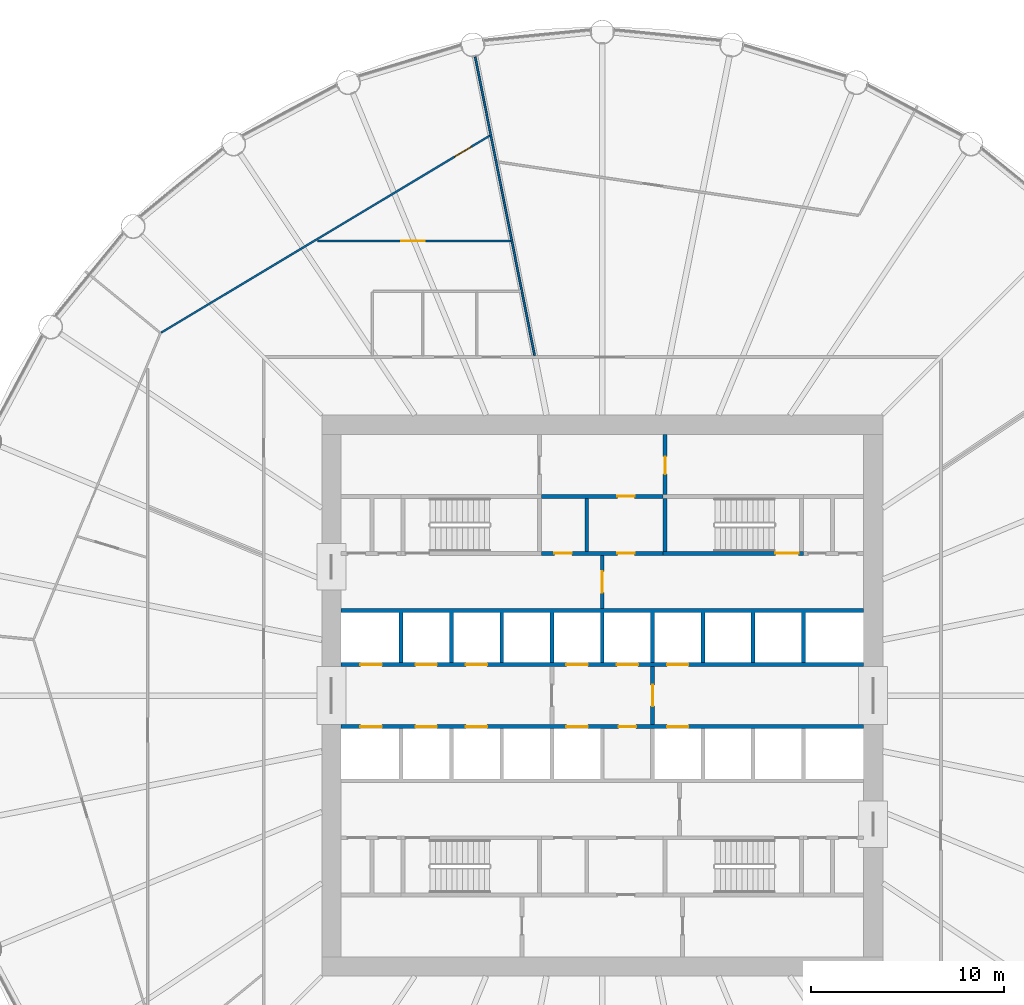
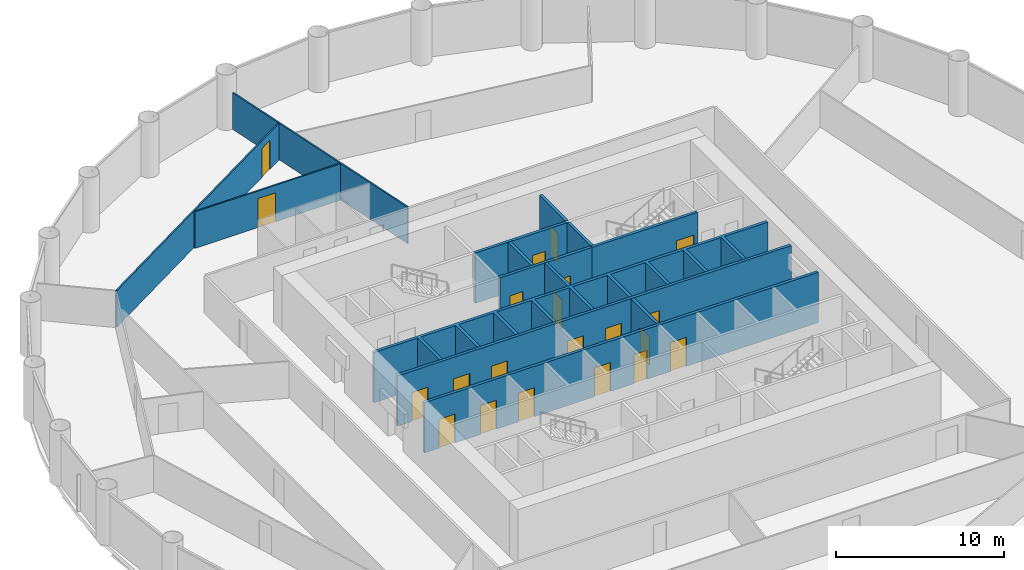
# One storey, part 6 of 8: 21 doors, 14 walls, 21 openings.
"""IFC4 building model written with IfcOpenShell, lengths in metres."""

from ifc_helpers import new_model, si_unit, direction, frame, frame_2d, origin, place, context, subcontext, project, spatial, polyline, rectangle, outline, extrude, material, layer, layer_set, type_object, element, fill, save


model = new_model("IFC4")

# Units and contexts
model_context = context("Model", 3, precision=1e-05, world=origin(), true_north=direction((0.0, 1.0)))
body_context = subcontext(model_context, "Body", "Model", "MODEL_VIEW")
ifc_project = project(units=[si_unit("LENGTHUNIT", "METRE"), si_unit("AREAUNIT", "SQUARE_METRE"), si_unit("VOLUMEUNIT", "CUBIC_METRE"), si_unit("PLANEANGLEUNIT", "RADIAN"), si_unit("MASSUNIT", "GRAM", prefix="KILO")], contexts=[model_context])

# Site, building, storey
site_placement = place(None, origin())
site = spatial("IfcSite", under=ifc_project, at=site_placement, CompositionType="ELEMENT")
building_placement = place(site_placement, origin())
building = spatial("IfcBuilding", under=site, at=building_placement, Name="Corvane Civic Tower", CompositionType="ELEMENT")
storey_placement = place(building_placement, frame((0.0, 0.0, 134.5)))
storey = spatial("IfcBuildingStorey", under=building, at=storey_placement, Name="L31", CompositionType="ELEMENT", Elevation=134.5)

# Wall, openings, doors
ifc_material_1 = material(Name="Concrete C30/37", Category="concrete")
ifc_layer_1 = layer(ifc_material_1, 0.199951171875)
ifc_layer_set_1 = layer_set([ifc_layer_1], Name="Concrete C30/37")
wall_type_1 = type_object("IfcWallType", Name="CR-WALL-200", PredefinedType="PARTITIONING", material=ifc_layer_set_1)
wall_1_placement = place(storey_placement, frame((-13.5, -1.60009765625, 0.0), z_axis=(0.0, 0.0, 1.0), x_axis=(1.0, 0.0, 0.0)))
wall_1 = element("IfcWall", 1, at=wall_1_placement, inside=storey, type_object=wall_type_1, Name="L31 lift shaft wall", PredefinedType="PARTITIONING", context=body_context, shape_type="SweptSolid", body=[
    extrude(rectangle(XDim=27.0, YDim=0.199951171875, at=frame_2d((13.5, 0.0))), origin(), (0.0, 0.0, 1.0), 3.64990234375),
])
opening_1_placement = place(wall_1_placement, frame((1.0, 0.0, 0.0)))
opening_1 = element("IfcOpeningElement", 2, at=opening_1_placement, cuts=wall_1, Name="Opening LD", PredefinedType="OPENING", context=body_context, shape_type="SweptSolid", body=[
    extrude(rectangle(XDim=1.10009765625, YDim=2.10009765625, at=frame_2d((0.550048828125, 1.050048828125))), frame((0.0, 0.10986328125, 0.0), z_axis=(0.0, -1.0, 0.0), x_axis=(1.0, 0.0, 0.0)), (0.0, 0.0, 1.0), 0.219970703125),
])
opening_2_placement = place(wall_1_placement, frame((3.85009765625, 0.0, 0.0)))
opening_2 = element("IfcOpeningElement", 3, at=opening_2_placement, cuts=wall_1, Name="Opening LD", PredefinedType="OPENING", context=body_context, shape_type="SweptSolid", body=[
    extrude(rectangle(XDim=1.10009765625, YDim=2.10009765625, at=frame_2d((0.550048828125, 1.050048828125))), frame((0.0, 0.10986328125, 0.0), z_axis=(0.0, -1.0, 0.0), x_axis=(1.0, 0.0, 0.0)), (0.0, 0.0, 1.0), 0.219970703125),
])
opening_3_placement = place(wall_1_placement, frame((6.449951171875, 0.0, 0.0)))
opening_3 = element("IfcOpeningElement", 4, at=opening_3_placement, cuts=wall_1, Name="Opening LD", PredefinedType="OPENING", context=body_context, shape_type="SweptSolid", body=[
    extrude(rectangle(XDim=1.10009765625, YDim=2.10009765625, at=frame_2d((0.550048828125, 1.050048828125))), frame((0.0, 0.10986328125, 0.0), z_axis=(0.0, -1.0, 0.0), x_axis=(1.0, 0.0, 0.0)), (0.0, 0.0, 1.0), 0.219970703125),
])
opening_4_placement = place(wall_1_placement, frame((11.64990234375, 0.0, 0.0)))
opening_4 = element("IfcOpeningElement", 5, at=opening_4_placement, cuts=wall_1, Name="Opening LD", PredefinedType="OPENING", context=body_context, shape_type="SweptSolid", body=[
    extrude(rectangle(XDim=1.10009765625, YDim=2.10009765625, at=frame_2d((0.550048828125, 1.050048828125))), frame((0.0, 0.10986328125, 0.0), z_axis=(0.0, -1.0, 0.0), x_axis=(1.0, 0.0, 0.0)), (0.0, 0.0, 1.0), 0.219970703125),
])
opening_5_placement = place(wall_1_placement, frame((14.35009765625, 0.0, 0.0)))
opening_5 = element("IfcOpeningElement", 6, at=opening_5_placement, cuts=wall_1, Name="Opening L31.C01", PredefinedType="OPENING", context=body_context, shape_type="SweptSolid", body=[
    extrude(rectangle(XDim=0.89990234375, YDim=2.10009765625, at=frame_2d((0.449951171875, 1.050048828125))), frame((0.0, 0.10986328125, 0.0), z_axis=(0.0, -1.0, 0.0), x_axis=(1.0, 0.0, 0.0)), (0.0, 0.0, 1.0), 0.219970703125),
])
opening_6_placement = place(wall_1_placement, frame((16.85009765625, 0.0, 0.0)))
opening_6 = element("IfcOpeningElement", 7, at=opening_6_placement, cuts=wall_1, Name="Opening LD", PredefinedType="OPENING", context=body_context, shape_type="SweptSolid", body=[
    extrude(rectangle(XDim=1.10009765625, YDim=2.10009765625, at=frame_2d((0.550048828125, 1.050048828125))), frame((0.0, 0.10986328125, 0.0), z_axis=(0.0, -1.0, 0.0), x_axis=(1.0, 0.0, 0.0)), (0.0, 0.0, 1.0), 0.219970703125),
])
ifc_material_2 = material(Name="Steel fire door leaf", Category="steel")
door_type_1 = type_object("IfcDoorType", Name="CR-DOOR-900", OperationType="SINGLE_SWING_LEFT", PredefinedType="DOOR", material=ifc_material_2)
door_1_placement = place(opening_5_placement, origin())
door_1 = element("IfcDoor", 8, at=door_1_placement, inside=storey, type_object=door_type_1, Name="L31 door", OperationType="SINGLE_SWING_LEFT", OverallHeight=2.10009765625, OverallWidth=0.89990234375, PredefinedType="DOOR", context=body_context, shape_type="SweptSolid", body=[
    extrude(rectangle(XDim=0.89990234375, YDim=2.10009765625, at=frame_2d((0.449951171875, 1.050048828125))), frame((0.0, 0.02490234375, 0.0), z_axis=(0.0, -1.0, 0.0), x_axis=(1.0, 0.0, 0.0)), (0.0, 0.0, 1.0), 0.050048828125),
])
fill(opening_5, door_1)
ifc_material_3 = material(Name="Stainless steel 316 door leaves", Category="steel")
door_type_2 = type_object("IfcDoorType", Name="LD", OperationType="DOUBLE_DOOR_SLIDING", PredefinedType="DOOR", material=ifc_material_3)
door_2_placement = place(opening_1_placement, origin())
door_2 = element("IfcDoor", 9, at=door_2_placement, inside=storey, type_object=door_type_2, Name="L31 landing door", OperationType="DOUBLE_DOOR_SLIDING", OverallHeight=2.10009765625, OverallWidth=1.10009765625, PredefinedType="DOOR", context=body_context, shape_type="SweptSolid", body=[
    extrude(rectangle(XDim=1.10009765625, YDim=2.10009765625, at=frame_2d((0.550048828125, 1.050048828125))), frame((0.0, 0.02490234375, 0.0), z_axis=(0.0, -1.0, 0.0), x_axis=(1.0, 0.0, 0.0)), (0.0, 0.0, 1.0), 0.050048828125),
])
fill(opening_1, door_2)
door_3_placement = place(opening_2_placement, origin())
door_3 = element("IfcDoor", 10, at=door_3_placement, inside=storey, type_object=door_type_2, Name="L31 landing door", OperationType="DOUBLE_DOOR_SLIDING", OverallHeight=2.10009765625, OverallWidth=1.10009765625, PredefinedType="DOOR", context=body_context, shape_type="SweptSolid", body=[
    extrude(rectangle(XDim=1.10009765625, YDim=2.10009765625, at=frame_2d((0.550048828125, 1.050048828125))), frame((0.0, 0.02490234375, 0.0), z_axis=(0.0, -1.0, 0.0), x_axis=(1.0, 0.0, 0.0)), (0.0, 0.0, 1.0), 0.050048828125),
])
fill(opening_2, door_3)
door_4_placement = place(opening_3_placement, origin())
door_4 = element("IfcDoor", 11, at=door_4_placement, inside=storey, type_object=door_type_2, Name="L31 landing door", OperationType="DOUBLE_DOOR_SLIDING", OverallHeight=2.10009765625, OverallWidth=1.10009765625, PredefinedType="DOOR", context=body_context, shape_type="SweptSolid", body=[
    extrude(rectangle(XDim=1.10009765625, YDim=2.10009765625, at=frame_2d((0.550048828125, 1.050048828125))), frame((0.0, 0.02490234375, 0.0), z_axis=(0.0, -1.0, 0.0), x_axis=(1.0, 0.0, 0.0)), (0.0, 0.0, 1.0), 0.050048828125),
])
fill(opening_3, door_4)
door_5_placement = place(opening_4_placement, origin())
door_5 = element("IfcDoor", 12, at=door_5_placement, inside=storey, type_object=door_type_2, Name="L31 landing door", OperationType="DOUBLE_DOOR_SLIDING", OverallHeight=2.10009765625, OverallWidth=1.10009765625, PredefinedType="DOOR", context=body_context, shape_type="SweptSolid", body=[
    extrude(rectangle(XDim=1.10009765625, YDim=2.10009765625, at=frame_2d((0.550048828125, 1.050048828125))), frame((0.0, 0.02490234375, 0.0), z_axis=(0.0, -1.0, 0.0), x_axis=(1.0, 0.0, 0.0)), (0.0, 0.0, 1.0), 0.050048828125),
])
fill(opening_4, door_5)
door_6_placement = place(opening_6_placement, origin())
door_6 = element("IfcDoor", 13, at=door_6_placement, inside=storey, type_object=door_type_2, Name="L31 landing door", OperationType="DOUBLE_DOOR_SLIDING", OverallHeight=2.10009765625, OverallWidth=1.10009765625, PredefinedType="DOOR", context=body_context, shape_type="SweptSolid", body=[
    extrude(rectangle(XDim=1.10009765625, YDim=2.10009765625, at=frame_2d((0.550048828125, 1.050048828125))), frame((0.0, 0.02490234375, 0.0), z_axis=(0.0, -1.0, 0.0), x_axis=(1.0, 0.0, 0.0)), (0.0, 0.0, 1.0), 0.050048828125),
])
fill(opening_6, door_6)

wall_2_placement = place(storey_placement, frame((-13.5, 1.60009765625, 0.0), z_axis=(0.0, 0.0, 1.0), x_axis=(1.0, 0.0, 0.0)))
wall_2 = element("IfcWall", 14, at=wall_2_placement, inside=storey, type_object=wall_type_1, Name="L31 lift shaft wall", PredefinedType="PARTITIONING", context=body_context, shape_type="SweptSolid", body=[
    extrude(rectangle(XDim=27.0, YDim=0.199951171875, at=frame_2d((13.5, 0.0))), origin(), (0.0, 0.0, 1.0), 3.64990234375),
])
opening_7_placement = place(wall_2_placement, frame((1.0, 0.0, 0.0)))
opening_7 = element("IfcOpeningElement", 15, at=opening_7_placement, cuts=wall_2, Name="Opening LD", PredefinedType="OPENING", context=body_context, shape_type="SweptSolid", body=[
    extrude(rectangle(XDim=1.10009765625, YDim=2.10009765625, at=frame_2d((0.550048828125, 1.050048828125))), frame((0.0, 0.10986328125, 0.0), z_axis=(0.0, -1.0, 0.0), x_axis=(1.0, 0.0, 0.0)), (0.0, 0.0, 1.0), 0.219970703125),
])
opening_8_placement = place(wall_2_placement, frame((3.85009765625, 0.0, 0.0)))
opening_8 = element("IfcOpeningElement", 16, at=opening_8_placement, cuts=wall_2, Name="Opening LD", PredefinedType="OPENING", context=body_context, shape_type="SweptSolid", body=[
    extrude(rectangle(XDim=1.10009765625, YDim=2.10009765625, at=frame_2d((0.550048828125, 1.050048828125))), frame((0.0, 0.10986328125, 0.0), z_axis=(0.0, -1.0, 0.0), x_axis=(1.0, 0.0, 0.0)), (0.0, 0.0, 1.0), 0.219970703125),
])
opening_9_placement = place(wall_2_placement, frame((6.449951171875, 0.0, 0.0)))
opening_9 = element("IfcOpeningElement", 17, at=opening_9_placement, cuts=wall_2, Name="Opening LD", PredefinedType="OPENING", context=body_context, shape_type="SweptSolid", body=[
    extrude(rectangle(XDim=1.10009765625, YDim=2.10009765625, at=frame_2d((0.550048828125, 1.050048828125))), frame((0.0, 0.10986328125, 0.0), z_axis=(0.0, -1.0, 0.0), x_axis=(1.0, 0.0, 0.0)), (0.0, 0.0, 1.0), 0.219970703125),
])
opening_10_placement = place(wall_2_placement, frame((11.64990234375, 0.0, 0.0)))
opening_10 = element("IfcOpeningElement", 18, at=opening_10_placement, cuts=wall_2, Name="Opening LD", PredefinedType="OPENING", context=body_context, shape_type="SweptSolid", body=[
    extrude(rectangle(XDim=1.10009765625, YDim=2.10009765625, at=frame_2d((0.550048828125, 1.050048828125))), frame((0.0, 0.10986328125, 0.0), z_axis=(0.0, -1.0, 0.0), x_axis=(1.0, 0.0, 0.0)), (0.0, 0.0, 1.0), 0.219970703125),
])
opening_11_placement = place(wall_2_placement, frame((14.25, 0.0, 0.0)))
opening_11 = element("IfcOpeningElement", 19, at=opening_11_placement, cuts=wall_2, Name="Opening LD", PredefinedType="OPENING", context=body_context, shape_type="SweptSolid", body=[
    extrude(rectangle(XDim=1.10009765625, YDim=2.10009765625, at=frame_2d((0.550048828125, 1.050048828125))), frame((0.0, 0.10986328125, 0.0), z_axis=(0.0, -1.0, 0.0), x_axis=(1.0, 0.0, 0.0)), (0.0, 0.0, 1.0), 0.219970703125),
])
opening_12_placement = place(wall_2_placement, frame((16.85009765625, 0.0, 0.0)))
opening_12 = element("IfcOpeningElement", 20, at=opening_12_placement, cuts=wall_2, Name="Opening LD", PredefinedType="OPENING", context=body_context, shape_type="SweptSolid", body=[
    extrude(rectangle(XDim=1.10009765625, YDim=2.10009765625, at=frame_2d((0.550048828125, 1.050048828125))), frame((0.0, 0.10986328125, 0.0), z_axis=(0.0, -1.0, 0.0), x_axis=(1.0, 0.0, 0.0)), (0.0, 0.0, 1.0), 0.219970703125),
])
door_7_placement = place(opening_7_placement, origin())
door_7 = element("IfcDoor", 21, at=door_7_placement, inside=storey, type_object=door_type_2, Name="L31 landing door", OperationType="DOUBLE_DOOR_SLIDING", OverallHeight=2.10009765625, OverallWidth=1.10009765625, PredefinedType="DOOR", context=body_context, shape_type="SweptSolid", body=[
    extrude(rectangle(XDim=1.10009765625, YDim=2.10009765625, at=frame_2d((0.550048828125, 1.050048828125))), frame((0.0, 0.02490234375, 0.0), z_axis=(0.0, -1.0, 0.0), x_axis=(1.0, 0.0, 0.0)), (0.0, 0.0, 1.0), 0.050048828125),
])
fill(opening_7, door_7)
door_8_placement = place(opening_8_placement, origin())
door_8 = element("IfcDoor", 22, at=door_8_placement, inside=storey, type_object=door_type_2, Name="L31 landing door", OperationType="DOUBLE_DOOR_SLIDING", OverallHeight=2.10009765625, OverallWidth=1.10009765625, PredefinedType="DOOR", context=body_context, shape_type="SweptSolid", body=[
    extrude(rectangle(XDim=1.10009765625, YDim=2.10009765625, at=frame_2d((0.550048828125, 1.050048828125))), frame((0.0, 0.02490234375, 0.0), z_axis=(0.0, -1.0, 0.0), x_axis=(1.0, 0.0, 0.0)), (0.0, 0.0, 1.0), 0.050048828125),
])
fill(opening_8, door_8)
door_9_placement = place(opening_9_placement, origin())
door_9 = element("IfcDoor", 23, at=door_9_placement, inside=storey, type_object=door_type_2, Name="L31 landing door", OperationType="DOUBLE_DOOR_SLIDING", OverallHeight=2.10009765625, OverallWidth=1.10009765625, PredefinedType="DOOR", context=body_context, shape_type="SweptSolid", body=[
    extrude(rectangle(XDim=1.10009765625, YDim=2.10009765625, at=frame_2d((0.550048828125, 1.050048828125))), frame((0.0, 0.02490234375, 0.0), z_axis=(0.0, -1.0, 0.0), x_axis=(1.0, 0.0, 0.0)), (0.0, 0.0, 1.0), 0.050048828125),
])
fill(opening_9, door_9)
door_10_placement = place(opening_10_placement, origin())
door_10 = element("IfcDoor", 24, at=door_10_placement, inside=storey, type_object=door_type_2, Name="L31 landing door", OperationType="DOUBLE_DOOR_SLIDING", OverallHeight=2.10009765625, OverallWidth=1.10009765625, PredefinedType="DOOR", context=body_context, shape_type="SweptSolid", body=[
    extrude(rectangle(XDim=1.10009765625, YDim=2.10009765625, at=frame_2d((0.550048828125, 1.050048828125))), frame((0.0, 0.02490234375, 0.0), z_axis=(0.0, -1.0, 0.0), x_axis=(1.0, 0.0, 0.0)), (0.0, 0.0, 1.0), 0.050048828125),
])
fill(opening_10, door_10)
door_11_placement = place(opening_11_placement, origin())
door_11 = element("IfcDoor", 25, at=door_11_placement, inside=storey, type_object=door_type_2, Name="L31 landing door", OperationType="DOUBLE_DOOR_SLIDING", OverallHeight=2.10009765625, OverallWidth=1.10009765625, PredefinedType="DOOR", context=body_context, shape_type="SweptSolid", body=[
    extrude(rectangle(XDim=1.10009765625, YDim=2.10009765625, at=frame_2d((0.550048828125, 1.050048828125))), frame((0.0, 0.02490234375, 0.0), z_axis=(0.0, -1.0, 0.0), x_axis=(1.0, 0.0, 0.0)), (0.0, 0.0, 1.0), 0.050048828125),
])
fill(opening_11, door_11)
door_12_placement = place(opening_12_placement, origin())
door_12 = element("IfcDoor", 26, at=door_12_placement, inside=storey, type_object=door_type_2, Name="L31 landing door", OperationType="DOUBLE_DOOR_SLIDING", OverallHeight=2.10009765625, OverallWidth=1.10009765625, PredefinedType="DOOR", context=body_context, shape_type="SweptSolid", body=[
    extrude(rectangle(XDim=1.10009765625, YDim=2.10009765625, at=frame_2d((0.550048828125, 1.050048828125))), frame((0.0, 0.02490234375, 0.0), z_axis=(0.0, -1.0, 0.0), x_axis=(1.0, 0.0, 0.0)), (0.0, 0.0, 1.0), 0.050048828125),
])
fill(opening_12, door_12)

wall_3_placement = place(storey_placement, frame((-3.14990234375, 7.35009765625, 0.0), z_axis=(0.0, 0.0, 1.0), x_axis=(1.0, 0.0, 0.0)))
wall_3 = element("IfcWall", 27, at=wall_3_placement, inside=storey, type_object=wall_type_1, Name="L31 partition wall", PredefinedType="PARTITIONING", context=body_context, shape_type="SweptSolid", body=[
    extrude(rectangle(XDim=6.2998046875, YDim=0.199951171875, at=frame_2d((3.14990234375, 0.0))), origin(), (0.0, 0.0, 1.0), 3.64990234375),
])
opening_13_placement = place(wall_3_placement, frame((0.675048828125, 0.0, 0.0)))
opening_13 = element("IfcOpeningElement", 28, at=opening_13_placement, cuts=wall_3, Name="Opening L31.C02", PredefinedType="OPENING", context=body_context, shape_type="SweptSolid", body=[
    extrude(rectangle(XDim=0.89990234375, YDim=2.10009765625, at=frame_2d((0.449951171875, 1.050048828125))), frame((0.0, 0.10986328125, 0.0), z_axis=(0.0, -1.0, 0.0), x_axis=(1.0, 0.0, 0.0)), (0.0, 0.0, 1.0), 0.219970703125),
])
opening_14_placement = place(wall_3_placement, frame((3.925048828125, 0.0, 0.0)))
opening_14 = element("IfcOpeningElement", 29, at=opening_14_placement, cuts=wall_3, Name="Opening L31.C03", PredefinedType="OPENING", context=body_context, shape_type="SweptSolid", body=[
    extrude(rectangle(XDim=0.89990234375, YDim=2.10009765625, at=frame_2d((0.449951171875, 1.050048828125))), frame((0.0, 0.10986328125, 0.0), z_axis=(0.0, -1.0, 0.0), x_axis=(1.0, 0.0, 0.0)), (0.0, 0.0, 1.0), 0.219970703125),
])
door_13_placement = place(opening_13_placement, origin())
door_13 = element("IfcDoor", 30, at=door_13_placement, inside=storey, type_object=door_type_1, Name="L31 door", OperationType="SINGLE_SWING_LEFT", OverallHeight=2.10009765625, OverallWidth=0.89990234375, PredefinedType="DOOR", context=body_context, shape_type="SweptSolid", body=[
    extrude(rectangle(XDim=0.89990234375, YDim=2.10009765625, at=frame_2d((0.449951171875, 1.050048828125))), frame((0.0, 0.02490234375, 0.0), z_axis=(0.0, -1.0, 0.0), x_axis=(1.0, 0.0, 0.0)), (0.0, 0.0, 1.0), 0.050048828125),
])
fill(opening_13, door_13)
door_14_placement = place(opening_14_placement, origin())
door_14 = element("IfcDoor", 31, at=door_14_placement, inside=storey, type_object=door_type_1, Name="L31 door", OperationType="SINGLE_SWING_LEFT", OverallHeight=2.10009765625, OverallWidth=0.89990234375, PredefinedType="DOOR", context=body_context, shape_type="SweptSolid", body=[
    extrude(rectangle(XDim=0.89990234375, YDim=2.10009765625, at=frame_2d((0.449951171875, 1.050048828125))), frame((0.0, 0.02490234375, 0.0), z_axis=(0.0, -1.0, 0.0), x_axis=(1.0, 0.0, 0.0)), (0.0, 0.0, 1.0), 0.050048828125),
])
fill(opening_14, door_14)

# Wall, opening, door
wall_4_placement = place(storey_placement, frame((-3.14990234375, 10.300048828125, 0.0), z_axis=(0.0, 0.0, 1.0), x_axis=(1.0, 0.0, 0.0)))
wall_4 = element("IfcWall", 32, at=wall_4_placement, inside=storey, type_object=wall_type_1, Name="L31 partition wall", PredefinedType="PARTITIONING", context=body_context, shape_type="SweptSolid", body=[
    extrude(rectangle(XDim=6.2998046875, YDim=0.199951171875, at=frame_2d((3.14990234375, 0.0))), origin(), (0.0, 0.0, 1.0), 3.64990234375),
])
opening_15_placement = place(wall_4_placement, frame((3.925048828125, 0.0, 0.0)))
opening_15 = element("IfcOpeningElement", 33, at=opening_15_placement, cuts=wall_4, Name="Opening L31.C07", PredefinedType="OPENING", context=body_context, shape_type="SweptSolid", body=[
    extrude(rectangle(XDim=0.89990234375, YDim=2.10009765625, at=frame_2d((0.449951171875, 1.050048828125))), frame((0.0, 0.10986328125, 0.0), z_axis=(0.0, -1.0, 0.0), x_axis=(1.0, 0.0, 0.0)), (0.0, 0.0, 1.0), 0.219970703125),
])
door_15_placement = place(opening_15_placement, origin())
door_15 = element("IfcDoor", 34, at=door_15_placement, inside=storey, type_object=door_type_1, Name="L31 door", OperationType="SINGLE_SWING_LEFT", OverallHeight=2.10009765625, OverallWidth=0.89990234375, PredefinedType="DOOR", context=body_context, shape_type="SweptSolid", body=[
    extrude(rectangle(XDim=0.89990234375, YDim=2.10009765625, at=frame_2d((0.449951171875, 1.050048828125))), frame((0.0, 0.02490234375, 0.0), z_axis=(0.0, -1.0, 0.0), x_axis=(1.0, 0.0, 0.0)), (0.0, 0.0, 1.0), 0.050048828125),
])
fill(opening_15, door_15)

wall_5_placement = place(storey_placement, frame((0.0, 4.5, 0.0), z_axis=(0.0, 0.0, 1.0), x_axis=(0.0, 1.0, 0.0)))
wall_5 = element("IfcWall", 35, at=wall_5_placement, inside=storey, type_object=wall_type_1, Name="L31 core partition wall", PredefinedType="PARTITIONING", context=body_context, shape_type="SweptSolid", body=[
    extrude(rectangle(XDim=2.75, YDim=0.199951171875, at=frame_2d((1.375, 0.0))), origin(), (0.0, 0.0, 1.0), 3.64990234375),
])
opening_16_placement = place(wall_5_placement, frame((0.824951171875, 0.0, 0.0)))
opening_16 = element("IfcOpeningElement", 36, at=opening_16_placement, cuts=wall_5, Name="Opening L31.C26", PredefinedType="OPENING", context=body_context, shape_type="SweptSolid", body=[
    extrude(rectangle(XDim=1.10009765625, YDim=2.10009765625, at=frame_2d((0.550048828125, 1.050048828125))), frame((0.0, 0.10986328125, 0.0), z_axis=(0.0, -1.0, 0.0), x_axis=(1.0, 0.0, 0.0)), (0.0, 0.0, 1.0), 0.219970703125),
])
ifc_material_4 = material(Name="Steel fire door leaf", Category="steel")
door_type_3 = type_object("IfcDoorType", Name="CR-DOOR-FFL-1100", OperationType="SINGLE_SWING_LEFT", PredefinedType="DOOR", material=ifc_material_4)
door_16_placement = place(opening_16_placement, origin())
door_16 = element("IfcDoor", 37, at=door_16_placement, inside=storey, type_object=door_type_3, Name="L31 lobby door", OperationType="SINGLE_SWING_LEFT", OverallHeight=2.10009765625, OverallWidth=1.10009765625, PredefinedType="DOOR", context=body_context, shape_type="SweptSolid", body=[
    extrude(rectangle(XDim=1.10009765625, YDim=2.10009765625, at=frame_2d((0.550048828125, 1.050048828125))), frame((0.0, 0.02490234375, 0.0), z_axis=(0.0, -1.0, 0.0), x_axis=(1.0, 0.0, 0.0)), (0.0, 0.0, 1.0), 0.050048828125),
])
fill(opening_16, door_16)

wall_6_placement = place(storey_placement, frame((2.60009765625, -1.5, 0.0), z_axis=(0.0, 0.0, 1.0), x_axis=(0.0, 1.0, 0.0)))
wall_6 = element("IfcWall", 38, at=wall_6_placement, inside=storey, type_object=wall_type_1, Name="L31 firefighting lobby wall", PredefinedType="PARTITIONING", context=body_context, shape_type="SweptSolid", body=[
    extrude(rectangle(XDim=3.0, YDim=0.199951171875, at=frame_2d((1.5, 0.0))), origin(), (0.0, 0.0, 1.0), 3.64990234375),
])
opening_17_placement = place(wall_6_placement, frame((0.949951171875, 0.0, 0.0)))
opening_17 = element("IfcOpeningElement", 39, at=opening_17_placement, cuts=wall_6, Name="Opening L31.C25", PredefinedType="OPENING", context=body_context, shape_type="SweptSolid", body=[
    extrude(rectangle(XDim=1.10009765625, YDim=2.10009765625, at=frame_2d((0.550048828125, 1.050048828125))), frame((0.0, 0.10986328125, 0.0), z_axis=(0.0, -1.0, 0.0), x_axis=(1.0, 0.0, 0.0)), (0.0, 0.0, 1.0), 0.219970703125),
])
door_17_placement = place(opening_17_placement, origin())
door_17 = element("IfcDoor", 40, at=door_17_placement, inside=storey, type_object=door_type_3, Name="L31 lobby door", OperationType="SINGLE_SWING_LEFT", OverallHeight=2.10009765625, OverallWidth=1.10009765625, PredefinedType="DOOR", context=body_context, shape_type="SweptSolid", body=[
    extrude(rectangle(XDim=1.10009765625, YDim=2.10009765625, at=frame_2d((0.550048828125, 1.050048828125))), frame((0.0, 0.02490234375, 0.0), z_axis=(0.0, -1.0, 0.0), x_axis=(1.0, 0.0, 0.0)), (0.0, 0.0, 1.0), 0.050048828125),
])
fill(opening_17, door_17)

wall_7_placement = place(storey_placement, frame((3.25, 10.39990234375, 0.0), z_axis=(0.0, 0.0, 1.0), x_axis=(0.0, 1.0, 0.0)))
wall_7 = element("IfcWall", 41, at=wall_7_placement, inside=storey, type_object=wall_type_1, Name="L31 partition wall", PredefinedType="PARTITIONING", context=body_context, shape_type="SweptSolid", body=[
    extrude(rectangle(XDim=3.10009765625, YDim=0.199951171875, at=frame_2d((1.550048828125, 0.0))), origin(), (0.0, 0.0, 1.0), 3.64990234375),
])
opening_18_placement = place(wall_7_placement, frame((1.050048828125, 0.0, 0.0)))
opening_18 = element("IfcOpeningElement", 42, at=opening_18_placement, cuts=wall_7, Name="Opening L31.C08", PredefinedType="OPENING", context=body_context, shape_type="SweptSolid", body=[
    extrude(rectangle(XDim=0.89990234375, YDim=2.10009765625, at=frame_2d((0.449951171875, 1.050048828125))), frame((0.0, 0.10986328125, 0.0), z_axis=(0.0, -1.0, 0.0), x_axis=(1.0, 0.0, 0.0)), (0.0, 0.0, 1.0), 0.219970703125),
])
door_18_placement = place(opening_18_placement, origin())
door_18 = element("IfcDoor", 43, at=door_18_placement, inside=storey, type_object=door_type_1, Name="L31 door", OperationType="SINGLE_SWING_LEFT", OverallHeight=2.10009765625, OverallWidth=0.89990234375, PredefinedType="DOOR", context=body_context, shape_type="SweptSolid", body=[
    extrude(rectangle(XDim=0.89990234375, YDim=2.10009765625, at=frame_2d((0.449951171875, 1.050048828125))), frame((0.0, 0.02490234375, 0.0), z_axis=(0.0, -1.0, 0.0), x_axis=(1.0, 0.0, 0.0)), (0.0, 0.0, 1.0), 0.050048828125),
])
fill(opening_18, door_18)

# Walls
wall_8_placement = place(storey_placement, origin())
element("IfcWall", 44, at=wall_8_placement, inside=storey, type_object=wall_type_1, Name="L31 core partition wall", PredefinedType="PARTITIONING", context=body_context, shape_type="SweptSolid", body=[
    extrude(outline(polyline([(-0.699951171875, 7.449951171875), (-0.89990234375, 7.449951171875), (-0.89990234375, 10.199951171875), (-0.699951171875, 10.199951171875), (-0.699951171875, 7.449951171875)])), origin(), (0.0, 0.0, 1.0), 3.64990234375),
])
wall_9_placement = place(storey_placement, origin())
element("IfcWall", 45, at=wall_9_placement, inside=storey, type_object=wall_type_1, Name="L31 core partition wall", PredefinedType="PARTITIONING", context=body_context, shape_type="SweptSolid", body=[
    extrude(outline(polyline([(-10.300048828125, 1.699951171875), (-10.5, 1.699951171875), (-10.5, 4.300048828125), (-13.5, 4.300048828125), (-13.5, 4.5), (13.5, 4.5), (13.5, 4.300048828125), (10.5, 4.300048828125), (10.5, 1.699951171875), (10.300048828125, 1.699951171875), (10.300048828125, 4.300048828125), (7.89990234375, 4.300048828125), (7.89990234375, 1.699951171875), (7.699951171875, 1.699951171875), (7.699951171875, 4.300048828125), (5.300048828125, 4.300048828125), (5.300048828125, 1.699951171875), (5.10009765625, 1.699951171875), (5.10009765625, 4.300048828125), (2.699951171875, 4.300048828125), (2.699951171875, 1.699951171875), (2.5, 1.699951171875), (2.5, 4.300048828125), (0.10009765625, 4.300048828125), (0.10009765625, 1.699951171875), (-0.10009765625, 1.699951171875), (-0.10009765625, 4.300048828125), (-2.5, 4.300048828125), (-2.5, 1.699951171875), (-2.699951171875, 1.699951171875), (-2.699951171875, 4.300048828125), (-5.10009765625, 4.300048828125), (-5.10009765625, 1.699951171875), (-5.300048828125, 1.699951171875), (-5.300048828125, 4.300048828125), (-7.699951171875, 4.300048828125), (-7.699951171875, 1.699951171875), (-7.89990234375, 1.699951171875), (-7.89990234375, 4.300048828125), (-10.300048828125, 4.300048828125), (-10.300048828125, 1.699951171875)])), origin(), (0.0, 0.0, 1.0), 3.64990234375),
])
ifc_material_5 = material(Name="Plasterboard")
ifc_layer_2 = layer(ifc_material_5, 0.10009765625)
ifc_layer_set_2 = layer_set([ifc_layer_2], Name="Plasterboard")
wall_type_2 = type_object("IfcWallType", Name="Partition 100 plasterboard on studs", PredefinedType="PARTITIONING", material=ifc_layer_set_2)
wall_10_placement = place(storey_placement, frame((-6.567626953125, 33.01806640625, 0.0), z_axis=(0.0, 0.0, 1.0), x_axis=(0.195086660958, -0.980786008626, 0.0)))
element("IfcWall", 46, at=wall_10_placement, inside=storey, type_object=wall_type_2, Name="Partition L31.030", PredefinedType="PARTITIONING", context=body_context, shape_type="SweptSolid", body=[
    extrude(rectangle(XDim=15.735595703125, YDim=0.10009765625, at=frame_2d((7.86767578125, 0.0))), origin(), (0.0, 0.0, 1.0), 2.64990234375),
])

# Wall, opening, door
wall_11_placement = place(storey_placement, frame((-22.807861328125, 18.7607421875, 0.0), z_axis=(0.0, 0.0, 1.0), x_axis=(0.857731098243, 0.514098592788, 0.0)))
wall_11 = element("IfcWall", 47, at=wall_11_placement, inside=storey, type_object=wall_type_2, Name="Partition L31.031", PredefinedType="PARTITIONING", context=body_context, shape_type="SweptSolid", body=[
    extrude(rectangle(XDim=19.800048828125, YDim=0.10009765625, at=frame_2d((9.89990234375, 0.0))), origin(), (0.0, 0.0, 1.0), 2.64990234375),
])
opening_19_placement = place(wall_11_placement, frame((17.693115234375, 0.0, 0.0)))
opening_19 = element("IfcOpeningElement", 48, at=opening_19_placement, cuts=wall_11, Name="Opening L31.014", PredefinedType="OPENING", context=body_context, shape_type="SweptSolid", body=[
    extrude(rectangle(XDim=1.0, YDim=2.10009765625, at=frame_2d((0.5, 1.050048828125))), frame((0.0, 0.06005859375, 0.0), z_axis=(0.0, -1.0, 0.0), x_axis=(1.0, 0.0, 0.0)), (0.0, 0.0, 1.0), 0.1201171875),
])
ifc_material_6 = material(Name="Timber", Category="wood")
door_type_4 = type_object("IfcDoorType", Name="Single door 1000", OperationType="NOTDEFINED", PredefinedType="DOOR", material=ifc_material_6)
door_19_placement = place(opening_19_placement, origin())
door_19 = element("IfcDoor", 49, at=door_19_placement, inside=storey, type_object=door_type_4, Name="Door L31.014", OperationType="SINGLE_SWING_RIGHT", OverallHeight=2.10009765625, OverallWidth=1.0, PredefinedType="DOOR", context=body_context, shape_type="SweptSolid", body=[
    extrude(rectangle(XDim=1.0, YDim=2.10009765625, at=frame_2d((0.5, 1.050048828125))), frame((0.0, 0.02490234375, 0.0), z_axis=(0.0, -1.0, 0.0), x_axis=(1.0, 0.0, 0.0)), (0.0, 0.0, 1.0), 0.050048828125),
])
fill(opening_19, door_19)

wall_12_placement = place(storey_placement, frame((-14.72021484375, 23.5, 0.0), z_axis=(0.0, 0.0, 1.0), x_axis=(1.0, 0.0, 0.0)))
wall_12 = element("IfcWall", 50, at=wall_12_placement, inside=storey, type_object=wall_type_2, Name="Partition L31.034", PredefinedType="PARTITIONING", context=body_context, shape_type="SweptSolid", body=[
    extrude(rectangle(XDim=9.98486328125, YDim=0.10009765625, at=frame_2d((4.992431640625, 0.0))), origin(), (0.0, 0.0, 1.0), 2.64990234375),
])
opening_20_placement = place(wall_12_placement, frame((4.33251953125, 0.0, 0.0)))
opening_20 = element("IfcOpeningElement", 51, at=opening_20_placement, cuts=wall_12, Name="Opening L31.017", PredefinedType="OPENING", context=body_context, shape_type="SweptSolid", body=[
    extrude(rectangle(XDim=1.199951171875, YDim=2.10009765625, at=frame_2d((0.60009765625, 1.050048828125))), frame((0.0, 0.06005859375, 0.0), z_axis=(0.0, -1.0, 0.0), x_axis=(1.0, 0.0, 0.0)), (0.0, 0.0, 1.0), 0.1201171875),
])
ifc_material_7 = material(Name="Timber", Category="wood")
door_type_5 = type_object("IfcDoorType", Name="Double door 1200", OperationType="NOTDEFINED", PredefinedType="DOOR", material=ifc_material_7)
door_20_placement = place(opening_20_placement, origin())
door_20 = element("IfcDoor", 52, at=door_20_placement, inside=storey, type_object=door_type_5, Name="Door L31.017", OperationType="DOUBLE_DOOR_SINGLE_SWING", OverallHeight=2.10009765625, OverallWidth=1.199951171875, PredefinedType="DOOR", context=body_context, shape_type="SweptSolid", body=[
    extrude(rectangle(XDim=1.199951171875, YDim=2.10009765625, at=frame_2d((0.60009765625, 1.050048828125))), frame((0.0, 0.02490234375, 0.0), z_axis=(0.0, -1.0, 0.0), x_axis=(1.0, 0.0, 0.0)), (0.0, 0.0, 1.0), 0.050048828125),
])
fill(opening_20, door_20)

ifc_material_8 = material(Name="Concrete C50/60", Category="concrete")
ifc_layer_3 = layer(ifc_material_8, 0.199951171875)
ifc_layer_set_3 = layer_set([ifc_layer_3], Name="Concrete C50/60")
wall_type_3 = type_object("IfcWallType", Name="ST-WALL-200", PredefinedType="SHEAR", material=ifc_layer_set_3)
wall_13_placement = place(storey_placement, frame((3.14990234375, 7.35009765625, 0.0), z_axis=(0.0, 0.0, 1.0), x_axis=(1.0, 0.0, 0.0)))
wall_13 = element("IfcWall", 53, at=wall_13_placement, inside=storey, type_object=wall_type_3, Name="L31 stair enclosure wall", PredefinedType="SHEAR", context=body_context, shape_type="SweptSolid", body=[
    extrude(rectangle(XDim=7.25, YDim=0.199951171875, at=frame_2d((3.625, 0.0))), origin(), (0.0, 0.0, 1.0), 3.64990234375),
])
opening_21_placement = place(wall_13_placement, frame((5.800048828125, 0.0, 0.0)))
opening_21 = element("IfcOpeningElement", 54, at=opening_21_placement, cuts=wall_13, Name="Opening L31.C20", PredefinedType="OPENING", context=body_context, shape_type="SweptSolid", body=[
    extrude(rectangle(XDim=1.199951171875, YDim=2.10009765625, at=frame_2d((0.60009765625, 1.050048828125))), frame((0.0, 0.10986328125, 0.0), z_axis=(0.0, -1.0, 0.0), x_axis=(1.0, 0.0, 0.0)), (0.0, 0.0, 1.0), 0.219970703125),
])
ifc_material_9 = material(Name="Steel fire door leaf", Category="steel")
door_type_6 = type_object("IfcDoorType", Name="ST-DOOR-1200", OperationType="SINGLE_SWING_RIGHT", PredefinedType="DOOR", material=ifc_material_9)
door_21_placement = place(opening_21_placement, origin())
door_21 = element("IfcDoor", 55, at=door_21_placement, inside=storey, type_object=door_type_6, Name="L31 stair door", OperationType="SINGLE_SWING_RIGHT", OverallHeight=2.10009765625, OverallWidth=1.199951171875, PredefinedType="DOOR", context=body_context, shape_type="SweptSolid", body=[
    extrude(rectangle(XDim=1.199951171875, YDim=2.10009765625, at=frame_2d((0.60009765625, 1.050048828125))), frame((0.0, 0.02490234375, 0.0), z_axis=(0.0, -1.0, 0.0), x_axis=(1.0, 0.0, 0.0)), (0.0, 0.0, 1.0), 0.050048828125),
])
fill(opening_21, door_21)

# Wall
wall_14_placement = place(storey_placement, origin())
element("IfcWall", 56, at=wall_14_placement, inside=storey, type_object=wall_type_3, Name="L31 stair enclosure wall", PredefinedType="SHEAR", context=body_context, shape_type="SweptSolid", body=[
    extrude(outline(polyline([(3.35009765625, 7.449951171875), (3.14990234375, 7.449951171875), (3.14990234375, 10.199951171875), (3.35009765625, 10.199951171875), (3.35009765625, 7.449951171875)])), origin(), (0.0, 0.0, 1.0), 3.64990234375),
])

save(model, "model.ifc")
